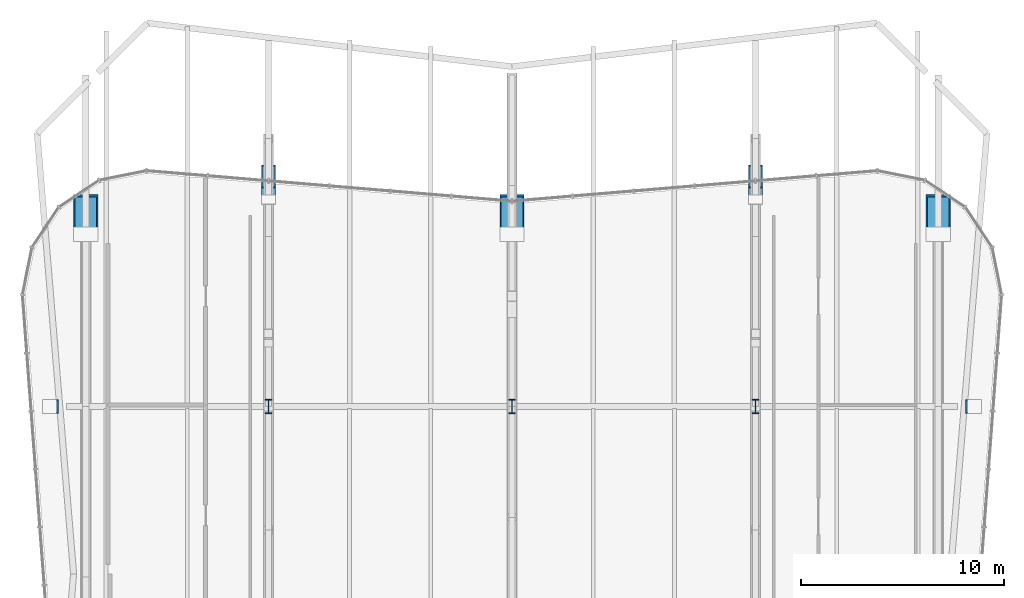
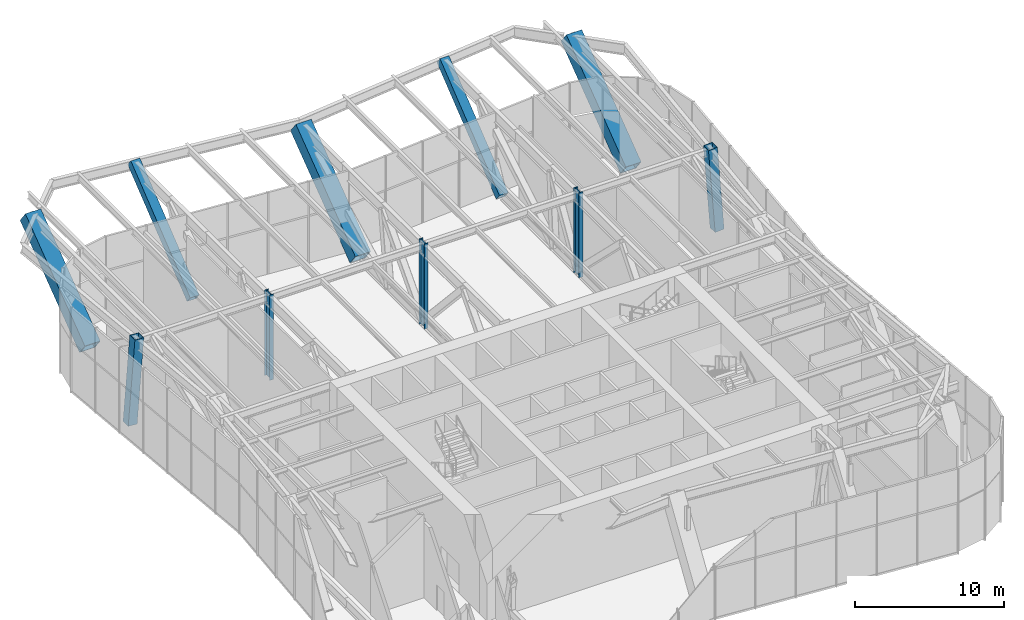
# One storey, part 3 of 16: 10 columns.
"""IFC4 building model written with IfcOpenShell, lengths in metres."""

from ifc_helpers import new_model, si_unit, direction, frame, origin, origin_2d, place, context, subcontext, project, spatial, hollow_rectangle, i_section, extrude, material, material_profile, profile_set, type_object, element, save


model = new_model("IFC4")

# Units and contexts
model_context = context("Model", 3, precision=1e-05, world=origin(), true_north=direction((0.0, 1.0)))
body_context = subcontext(model_context, "Body", "Model", "MODEL_VIEW")
ifc_project = project(units=[si_unit("LENGTHUNIT", "METRE"), si_unit("AREAUNIT", "SQUARE_METRE"), si_unit("VOLUMEUNIT", "CUBIC_METRE"), si_unit("PLANEANGLEUNIT", "RADIAN"), si_unit("MASSUNIT", "GRAM", prefix="KILO")], contexts=[model_context])

# Site, building, storey
site_placement = place(None, origin())
site = spatial("IfcSite", under=ifc_project, at=site_placement, CompositionType="ELEMENT")
building_placement = place(site_placement, origin())
building = spatial("IfcBuilding", under=site, at=building_placement, Name="Verdant Reach Tower", CompositionType="ELEMENT")
storey_placement = place(building_placement, frame((0.0, 0.0, 170.0)))
storey = spatial("IfcBuildingStorey", under=building, at=storey_placement, Name="L39 Plant", CompositionType="ELEMENT", Elevation=170.0)

# Columns
ifc_material = material(Name="Steel S460", Category="steel")
ifc_material_profile_1 = material_profile(ifc_material, i_section(OverallWidth=0.30810546875, OverallDepth=0.716064453125, WebThickness=0.02099609375, FlangeThickness=0.0400390625, FilletRadius=0.027099609375, at=origin_2d()), Name="HEM 700")
ifc_profile_set_1 = profile_set([ifc_material_profile_1], Name="Steel S460")
column_type_1 = type_object("IfcColumnType", Name="ST-COL-HEM700", PredefinedType="COLUMN", material=ifc_profile_set_1)
for number, where, z_axis, x_axis, name in (
    (1, (-12.0, 49.5, 0.0), (0.0, 0.0, 1.0), (1.0, 0.0, 0.0), "Interior column 1, L39 Plant"),
    (2, (0.0, 49.5, 0.0), (0.0, 0.0, 1.0), (1.0, 0.0, 0.0), "Interior column 2, L39 Plant"),
    (3, (12.0, 49.5, 0.0), (0.0, 0.0, 1.0), (1.0, 0.0, 0.0), "Interior column 3, L39 Plant"),
):
    element("IfcColumn", number, at=place(storey_placement, frame(where, z_axis=z_axis, x_axis=x_axis)), inside=storey, type_object=column_type_1, Name=name, PredefinedType="COLUMN", context=body_context, shape_type="SweptSolid", body=[
        extrude(i_section(OverallWidth=0.30810546875, OverallDepth=0.716064453125, WebThickness=0.02099609375, FlangeThickness=0.0400390625, FilletRadius=0.027099609375, at=origin_2d()), origin(), (0.0, 0.0, 1.0), 7.0),
    ])
ifc_material_profile_2 = material_profile(ifc_material, hollow_rectangle(XDim=1.199951171875, YDim=1.199951171875, WallThickness=0.070068359375, at=origin_2d()), Name="WB 1200x1200x70")
ifc_profile_set_2 = profile_set([ifc_material_profile_2], Name="Steel S460")
column_type_2 = type_object("IfcColumnType", Name="ST-COL-WB1200x1200x70", PredefinedType="COLUMN", material=ifc_profile_set_2)
for number, where, z_axis, x_axis, name in (
    (4, (-21.0, 58.0, 0.494140625), (0.0, 0.799437544408, 0.600749209397), (-1.0, 0.0, 0.0), "Mega column north-west, L39 Plant"),
    (5, (0.0, 58.0, 0.494140625), (0.0, 0.799437544408, 0.600749209397), (-1.0, 0.0, 0.0), "Mega column north, L39 Plant"),
    (6, (21.0, 58.0, 0.494140625), (0.0, 0.799437544408, 0.600749209397), (-1.0, 0.0, 0.0), "Mega column north-east, L39 Plant"),
):
    element("IfcColumn", number, at=place(storey_placement, frame(where, z_axis=z_axis, x_axis=x_axis)), inside=storey, type_object=column_type_2, Name=name, PredefinedType="COLUMN", context=body_context, shape_type="SweptSolid", body=[
        extrude(hollow_rectangle(XDim=1.199951171875, YDim=1.199951171875, WallThickness=0.070068359375, at=origin_2d()), origin(), (0.0, 0.0, 1.0), 10.007080078125),
    ])
ifc_material_profile_3 = material_profile(ifc_material, hollow_rectangle(XDim=0.699951171875, YDim=0.699951171875, WallThickness=0.030029296875, at=origin_2d()), Name="WB 700x700x30")
ifc_profile_set_3 = profile_set([ifc_material_profile_3], Name="Steel S460")
column_type_3 = type_object("IfcColumnType", Name="ST-COL-WB700x700x30", PredefinedType="COLUMN", material=ifc_profile_set_3)
for number, where, z_axis, x_axis, name in (
    (7, (-12.0, 59.699951171875, 0.296630859375), (0.0, 0.780548002153, 0.625095845719), (-1.0, 0.0, 0.0), "Perimeter column north 1, L39 Plant"),
    (8, (12.0, 59.699951171875, 0.296630859375), (0.0, 0.780548002153, 0.625095845719), (-1.0, 0.0, 0.0), "Perimeter column north 2, L39 Plant"),
):
    element("IfcColumn", number, at=place(storey_placement, frame(where, z_axis=z_axis, x_axis=x_axis)), inside=storey, type_object=column_type_3, Name=name, PredefinedType="COLUMN", context=body_context, shape_type="SweptSolid", body=[
        extrude(hollow_rectangle(XDim=0.699951171875, YDim=0.699951171875, WallThickness=0.030029296875, at=origin_2d()), origin(), (0.0, 0.0, 1.0), 10.249267578125),
    ])
for number, where, z_axis, x_axis, name in (
    (9, (22.78759765625, 49.5, 0.04931640625), (-0.074926755369, 0.0, 0.997189039917), (0.0, -1.0, 0.0), "Perimeter column east 2, L39 Plant"),
    (10, (-22.78759765625, 49.5, 0.04931640625), (0.074926755369, 0.0, 0.997189039917), (0.0, 1.0, 0.0), "Perimeter column west 2, L39 Plant"),
):
    element("IfcColumn", number, at=place(storey_placement, frame(where, z_axis=z_axis, x_axis=x_axis)), inside=storey, type_object=column_type_3, Name=name, PredefinedType="COLUMN", context=body_context, shape_type="SweptSolid", body=[
        extrude(hollow_rectangle(XDim=0.699951171875, YDim=0.699951171875, WallThickness=0.030029296875, at=origin_2d()), origin(), (0.0, 0.0, 1.0), 6.9208984375),
    ])

save(model, "model.ifc")
